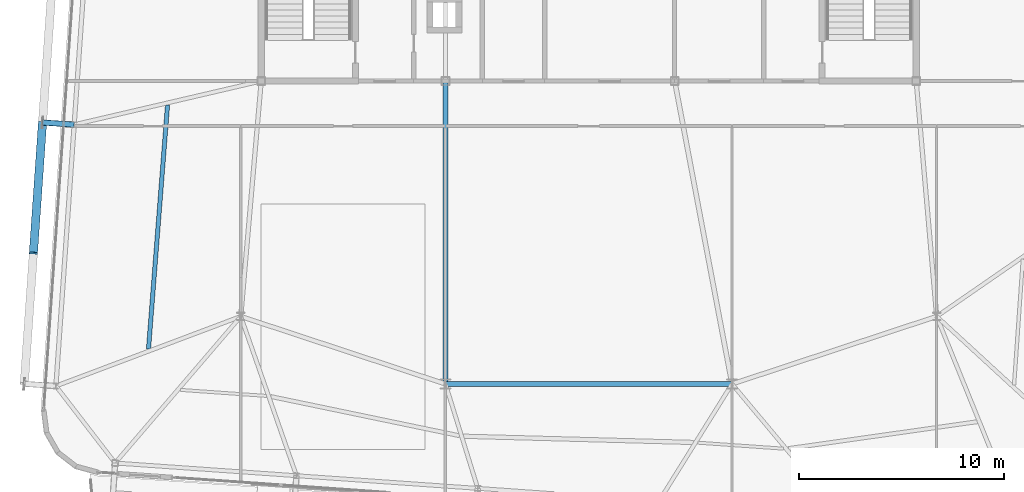
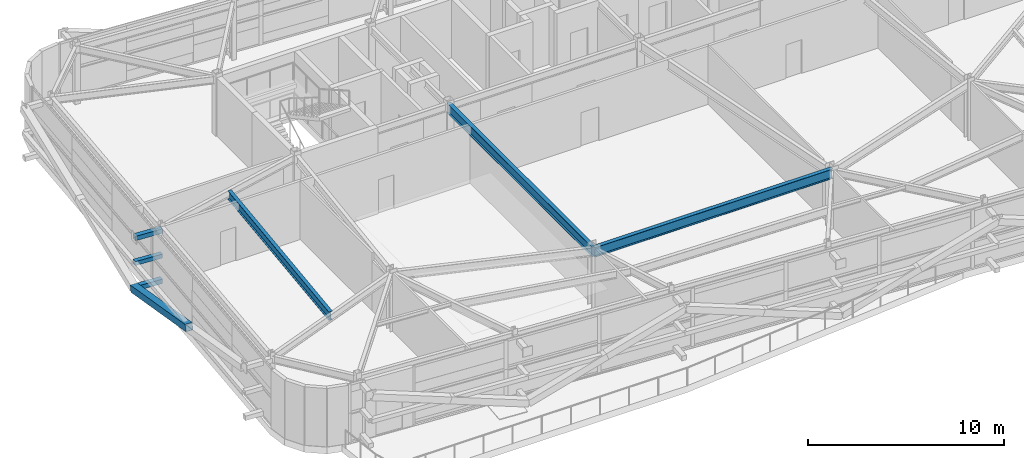
# One storey, part 10 of 36: 4 members, 3 beams.
"""IFC4 building model written with IfcOpenShell, lengths in metres."""

from ifc_helpers import new_model, si_unit, direction, frame, origin, origin_2d, place, context, subcontext, project, spatial, hollow_rectangle, i_section, extrude, source, transform, mapped, material, material_profile, profile_set, type_object, element, save


model = new_model("IFC4")

# Units and contexts
model_context = context("Model", 3, precision=1e-05, world=origin(), true_north=direction((0.0, 1.0)))
body_context = subcontext(model_context, "Body", "Model", "MODEL_VIEW")
ifc_project = project(units=[si_unit("LENGTHUNIT", "METRE"), si_unit("AREAUNIT", "SQUARE_METRE"), si_unit("VOLUMEUNIT", "CUBIC_METRE"), si_unit("PLANEANGLEUNIT", "RADIAN"), si_unit("MASSUNIT", "GRAM", prefix="KILO")], contexts=[model_context])

# Site, building, storey
site_placement = place(None, origin())
site = spatial("IfcSite", under=ifc_project, at=site_placement, CompositionType="ELEMENT")
building_placement = place(site_placement, origin())
building = spatial("IfcBuilding", under=site, at=building_placement, Name="Taldren Reach Tower", CompositionType="ELEMENT")
storey_placement = place(building_placement, frame((0.0, 0.0, 116.550048828125)))
storey = spatial("IfcBuildingStorey", under=building, at=storey_placement, Name="L35", CompositionType="ELEMENT", Elevation=116.550048828125)

# Beams
ifc_material_1 = material(Name="Steel Gr 350 (350PLUS)", Category="steel")
ifc_material_profile_1 = material_profile(ifc_material_1, i_section(OverallWidth=0.22802734375, OverallDepth=0.60205078125, WebThickness=0.010498046875, FlangeThickness=0.014892578125, at=origin_2d()), Name="610UB101")
ifc_profile_set_1 = profile_set([ifc_material_profile_1], Name="Steel Gr 350 (350PLUS)")
beam_type_1 = type_object("IfcBeamType", Name="BM-UB610B", PredefinedType="BEAM", material=ifc_profile_set_1)
shared_shape_1 = source(origin(), body_context, "Body", "SweptSolid", [
    extrude(i_section(OverallWidth=0.22802734375, OverallDepth=0.60205078125, WebThickness=0.010498046875, FlangeThickness=0.014892578125, at=origin_2d()), origin(), (0.0, 0.0, 1.0), 14.0),
])
beam_1_placement = place(storey_placement, frame((28.0, 9.199951171875, 3.328857421875), z_axis=(1.0, 0.0, 0.0), x_axis=(0.0, 1.0, 0.0)))
element("IfcBeam", 1, at=beam_1_placement, inside=storey, type_object=beam_type_1, Name="Core-spine girder L35-SP11", PredefinedType="BEAM", context=body_context, shape_type="MappedRepresentation", body=[
    mapped(shared_shape_1, transform((0.0, 0.0, 0.0), scale=1.0)),
])
shared_shape_2 = source(origin(), body_context, "Body", "SweptSolid", [
    extrude(i_section(OverallWidth=0.22802734375, OverallDepth=0.60205078125, WebThickness=0.010498046875, FlangeThickness=0.014892578125, at=origin_2d()), origin(), (0.0, 0.0, 1.0), 14.800048828125),
])
beam_2_placement = place(storey_placement, frame((28.0, 24.0, 3.328857421875), z_axis=(0.0, -1.0, 0.0), x_axis=(1.0, 0.0, 0.0)))
element("IfcBeam", 2, at=beam_2_placement, inside=storey, type_object=beam_type_1, Name="Core-spine girder L35-SP14", PredefinedType="BEAM", context=body_context, shape_type="MappedRepresentation", body=[
    mapped(shared_shape_2, transform((0.0, 0.0, 0.0), scale=1.0)),
])

# Members
ifc_material_2 = material(Name="Steel Gr 450 (C450L0)", Category="steel")
ifc_material_profile_2 = material_profile(ifc_material_2, hollow_rectangle(XDim=0.27490234375, YDim=0.27490234375, WallThickness=0.00927734375, at=origin_2d()), Name="275x275x9.3SHS")
ifc_profile_set_2 = profile_set([ifc_material_profile_2], Name="Steel Gr 450 (C450L0)")
member_type_1 = type_object("IfcMemberType", Name="MB-TIE273", PredefinedType="STRUT", material=ifc_profile_set_2)
shared_shape_3 = source(origin(), body_context, "Body", "SweptSolid", [
    extrude(hollow_rectangle(XDim=0.27490234375, YDim=0.27490234375, WallThickness=0.00927734375, at=origin_2d()), origin(), (0.0, 0.0, 1.0), 1.550048828125),
])
for number, where, z_axis, x_axis, name in (
    (3, (9.86181640625, 21.868408203125, 3.349853515625), (-0.99756313426, 0.06976957191, 0.0), (-0.06976957191, -0.99756313426, 0.0), "Exoskeleton diaphragm tie strut B3-W2 L35"),
    (4, (9.86181640625, 21.868408203125, 0.219970703125), (-0.99756313426, 0.06976957191, 0.0), (-0.06976957191, -0.99756313426, 0.0), "Exoskeleton base diaphragm tie strut B3-W2 L35"),
):
    element("IfcMember", number, at=place(storey_placement, frame(where, z_axis=z_axis, x_axis=x_axis)), inside=storey, type_object=member_type_1, Name=name, PredefinedType="STRUT", context=body_context, shape_type="MappedRepresentation", body=[
        mapped(shared_shape_3, transform((0.0, 0.0, 0.0), scale=1.0)),
    ])
ifc_material_3 = material(Name="Steel Gr 350 (C350L0)", Category="steel")
ifc_material_profile_3 = material_profile(ifc_material_3, hollow_rectangle(XDim=0.25, YDim=0.25, WallThickness=0.010009765625, at=origin_2d()), Name="250x250x10.0SHS")
ifc_profile_set_3 = profile_set([ifc_material_profile_3], Name="Steel Gr 350 (C350L0)")
member_type_2 = type_object("IfcMemberType", Name="MB-POST250", PredefinedType="POST", material=ifc_profile_set_3)
shared_shape_4 = source(origin(), body_context, "Body", "SweptSolid", [
    extrude(hollow_rectangle(XDim=0.25, YDim=0.25, WallThickness=0.010009765625, at=origin_2d()), origin(), (0.0, 0.0, 1.0), 1.550048828125),
])
member_1_placement = place(storey_placement, frame((9.86181640625, 21.868408203125, 1.784912109375), z_axis=(-0.99756313426, 0.06976957191, 0.0), x_axis=(-0.06976957191, -0.99756313426, 0.0)))
element("IfcMember", 5, at=member_1_placement, inside=storey, type_object=member_type_2, Name="Exoskeleton mid-tier diaphragm tie B3-W2 L35", PredefinedType="POST", context=body_context, shape_type="MappedRepresentation", body=[
    mapped(shared_shape_4, transform((0.0, 0.0, 0.0), scale=1.0)),
])

# Beam
ifc_material_profile_4 = material_profile(ifc_material_1, i_section(OverallWidth=0.208984375, OverallDepth=0.532958984375, WebThickness=0.01025390625, FlangeThickness=0.015625, at=origin_2d()), Name="530UB92.4")
ifc_profile_set_4 = profile_set([ifc_material_profile_4], Name="Steel Gr 350 (350PLUS)")
beam_type_2 = type_object("IfcBeamType", Name="BM-UB530A", PredefinedType="BEAM", material=ifc_profile_set_4)
shared_shape_5 = source(origin(), body_context, "Body", "SweptSolid", [
    extrude(i_section(OverallWidth=0.208984375, OverallDepth=0.532958984375, WebThickness=0.01025390625, FlangeThickness=0.015625, at=origin_2d()), origin(), (0.0, 0.0, 1.0), 11.965576171875),
])
beam_3_placement = place(storey_placement, frame((13.49267578125, 10.90478515625, 3.363525390625), z_axis=(0.077757433297, 0.996972307322, 0.0), x_axis=(-0.996972307322, 0.077757433297, 0.0)))
element("IfcBeam", 6, at=beam_3_placement, inside=storey, type_object=beam_type_2, Name="Secondary floor beam B3 J6 L35", PredefinedType="BEAM", context=body_context, shape_type="MappedRepresentation", body=[
    mapped(shared_shape_5, transform((0.0, 0.0, 0.0), scale=1.0)),
])

# Member
ifc_material_profile_5 = material_profile(ifc_material_2, hollow_rectangle(XDim=0.409912109375, YDim=0.409912109375, WallThickness=0.01611328125, at=origin_2d()), Name="410x410x16.0SHS")
ifc_profile_set_5 = profile_set([ifc_material_profile_5], Name="Steel Gr 450 (C450L0)")
member_type_3 = type_object("IfcMemberType", Name="MB-EXO406", PredefinedType="BRACE", material=ifc_profile_set_5)
shared_shape_6 = source(origin(), body_context, "Body", "SweptSolid", [
    extrude(hollow_rectangle(XDim=0.409912109375, YDim=0.409912109375, WallThickness=0.01611328125, at=origin_2d()), origin(), (0.0, 0.0, 1.0), 6.588623046875),
])
member_2_placement = place(storey_placement, frame((8.3154296875, 21.9765625, 0.219970703125), z_axis=(-0.067736023774, -0.969017919978, 0.237520739821), x_axis=(0.997565791441, -0.069731569223, 0.0)))
element("IfcMember", 7, at=member_2_placement, inside=storey, type_object=member_type_3, Name="Exoskeleton Diagrid Brace B3-W1 L35", PredefinedType="BRACE", context=body_context, shape_type="MappedRepresentation", body=[
    mapped(shared_shape_6, transform((0.0, 0.0, 0.0), scale=1.0)),
])

save(model, "model.ifc")
